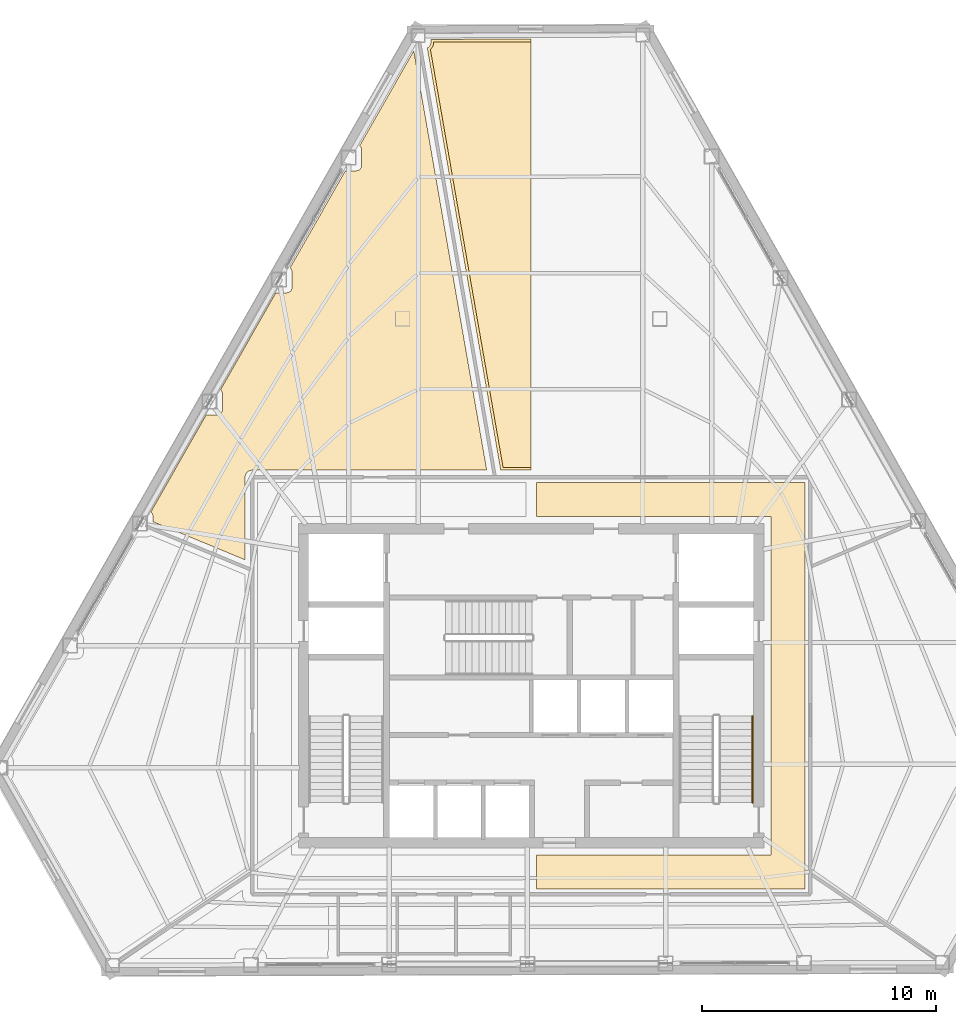
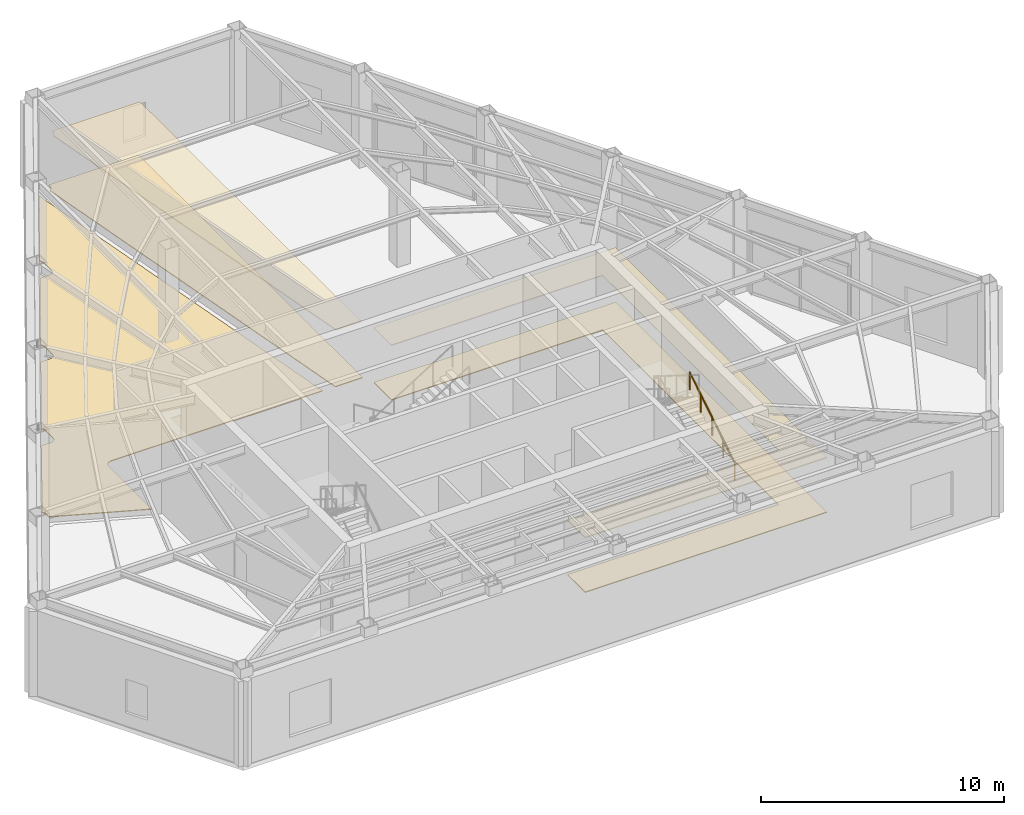
# One storey, part 14 of 14: 5 coverings, 1 railing.
"""IFC4 building model written with IfcOpenShell, lengths in metres."""

from ifc_helpers import new_model, si_unit, direction, frame, origin, origin_2d, place, context, subcontext, project, spatial, polyline, circle, outline, extrude, material, layer, layer_set, type_object, element, save


model = new_model("IFC4")

# Units and contexts
model_context = context("Model", 3, precision=1e-05, world=origin(), true_north=direction((0.0, 1.0)))
body_context = subcontext(model_context, "Body", "Model", "MODEL_VIEW")
ifc_project = project(units=[si_unit("LENGTHUNIT", "METRE"), si_unit("AREAUNIT", "SQUARE_METRE"), si_unit("VOLUMEUNIT", "CUBIC_METRE"), si_unit("PLANEANGLEUNIT", "RADIAN"), si_unit("MASSUNIT", "GRAM", prefix="KILO")], contexts=[model_context])

# Site, building, storey
site_placement = place(None, origin())
site = spatial("IfcSite", under=ifc_project, at=site_placement, CompositionType="ELEMENT")
building_placement = place(site_placement, origin())
building = spatial("IfcBuilding", under=site, at=building_placement, Name="Kavelnor Concourse Tower", CompositionType="ELEMENT")
storey_placement = place(building_placement, frame((0.0, 0.0, 160.0)))
storey = spatial("IfcBuildingStorey", under=building, at=storey_placement, Name="L40", CompositionType="ELEMENT", Elevation=160.0)

# Coverings
ifc_material_1 = material(Name="Mineral fibre acoustic ceiling tile")
ifc_layer_1 = layer(ifc_material_1, 0.0400390625, Name="Mineral fibre acoustic ceiling tile")
ifc_layer_set_1 = layer_set([ifc_layer_1], Name="Mineral fibre acoustic ceiling tile")
covering_type_1 = type_object("IfcCoveringType", Name="COV-CEILING-ACOUSTIC", PredefinedType="CEILING", material=ifc_layer_set_1)
covering_1_placement = place(storey_placement, frame((0.0, 0.0, 2.75)))
element("IfcCovering", 1, at=covering_1_placement, inside=storey, type_object=covering_type_1, Name="L40 Suspended Acoustic Ceiling", PredefinedType="CEILING", context=body_context, shape_type="SweptSolid", body=[
    extrude(outline(polyline([(49.719970703125, 7.39990234375), (38.22509765625, 7.39990234375), (38.22509765625, 8.860107421875), (48.260009765625, 8.860107421875), (48.260009765625, 23.340087890625), (38.22509765625, 23.340087890625), (38.22509765625, 24.800048828125), (49.719970703125, 24.800048828125), (49.719970703125, 7.39990234375)])), origin(), (0.0, 0.0, 1.0), 0.0400390625),
])
covering_2_placement = place(storey_placement, frame((0.0, 0.0, 2.75)))
element("IfcCovering", 2, at=covering_2_placement, inside=storey, type_object=covering_type_1, Name="L40 Suspended Acoustic Ceiling", PredefinedType="CEILING", context=body_context, shape_type="SweptSolid", body=[
    extrude(outline(polyline([(33.716552734375, 43.361572265625), (33.740234375, 43.3876953125), (33.761474609375, 43.416259765625), (33.779541015625, 43.446533203125), (33.794677734375, 43.478515625), (33.806640625, 43.51171875), (33.815185546875, 43.546142578125), (33.8203125, 43.5810546875), (33.82177734375, 43.608154296875), (33.82177734375, 43.638671875), (37.9951171875, 43.65283203125), (37.9951171875, 25.4423828125), (36.796142578125, 25.4423828125), (33.684326171875, 43.33349609375), (33.690185546875, 43.337890625), (33.716552734375, 43.361572265625)])), origin(), (0.0, 0.0, 1.0), 0.0400390625),
])
ifc_material_2 = material(Name="Honed bluestone and raised access floor finish", Category="masonry")
ifc_layer_2 = layer(ifc_material_2, 0.0400390625, Name="Honed bluestone and raised access floor finish")
ifc_layer_set_2 = layer_set([ifc_layer_2], Name="Honed bluestone and raised access floor finish")
covering_type_2 = type_object("IfcCoveringType", Name="COV-FLOOR-STONE", PredefinedType="FLOORING", material=ifc_layer_set_2)
covering_3_placement = place(storey_placement, frame((0.0, 0.0, 0.001953125)))
element("IfcCovering", 3, at=covering_3_placement, inside=storey, type_object=covering_type_2, Name="L40 Honed Bluestone Floor Finish", PredefinedType="FLOORING", context=body_context, shape_type="SweptSolid", body=[
    extrude(outline(polyline([(49.719970703125, 7.39990234375), (38.22509765625, 7.39990234375), (38.22509765625, 8.860107421875), (48.260009765625, 8.860107421875), (48.260009765625, 23.340087890625), (38.22509765625, 23.340087890625), (38.22509765625, 24.800048828125), (49.719970703125, 24.800048828125), (49.719970703125, 7.39990234375)])), origin(), (0.0, 0.0, 1.0), 0.0400390625),
])
covering_4_placement = place(storey_placement, frame((0.0, 0.0, 0.001953125)))
element("IfcCovering", 4, at=covering_4_placement, inside=storey, type_object=covering_type_2, Name="L40 Honed Bluestone Floor Finish", PredefinedType="FLOORING", context=body_context, shape_type="SweptSolid", body=[
    extrude(outline(polyline([(33.574951171875, 43.404541015625), (33.59521484375, 43.41650390625), (33.614013671875, 43.4306640625), (33.631591796875, 43.446533203125), (33.6474609375, 43.464111328125), (33.66162109375, 43.48291015625), (33.673583984375, 43.503173828125), (33.68359375, 43.5244140625), (33.691650390625, 43.546630859375), (33.697265625, 43.569580078125), (33.70068359375, 43.5927734375), (33.70166015625, 43.611083984375), (33.70166015625, 43.75830078125), (37.9951171875, 43.772705078125), (37.9951171875, 25.322509765625), (36.6953125, 25.322509765625), (33.552001953125, 43.393798828125), (33.5537109375, 43.394287109375), (33.574951171875, 43.404541015625)])), origin(), (0.0, 0.0, 1.0), 0.0400390625),
])
covering_5_placement = place(storey_placement, frame((0.0, 0.0, 0.001953125)))
element("IfcCovering", 5, at=covering_5_placement, inside=storey, type_object=covering_type_2, Name="L40 Honed Bluestone Floor Finish", PredefinedType="FLOORING", context=body_context, shape_type="SweptSolid", body=[
    extrude(outline(polyline([(24.572509765625, 27.694580078125), (24.595703125, 27.697998046875), (24.618408203125, 27.703857421875), (24.640625, 27.711669921875), (24.662109375, 27.7216796875), (24.682373046875, 27.73388671875), (24.701171875, 27.748046875), (24.71875, 27.763916015625), (24.734619140625, 27.78125), (24.74853515625, 27.80029296875), (24.7607421875, 27.8203125), (24.770751953125, 27.841796875), (24.77880859375, 27.864013671875), (24.784423828125, 27.88671875), (24.787841796875, 27.91015625), (24.788818359375, 27.92822265625), (24.788818359375, 28.5791015625), (24.787841796875, 28.597412109375), (24.784423828125, 28.62060546875), (24.77880859375, 28.643310546875), (24.770751953125, 28.66552734375), (24.7607421875, 28.68701171875), (24.74853515625, 28.707275390625), (24.734619140625, 28.72607421875), (24.71875, 28.74365234375), (24.701416015625, 28.75927734375), (27.0712890625, 32.91455078125), (27.53173828125, 32.91455078125), (27.550048828125, 32.91552734375), (27.5732421875, 32.9189453125), (27.59619140625, 32.9248046875), (27.618408203125, 32.9326171875), (27.6396484375, 32.942626953125), (27.659912109375, 32.954833984375), (27.6787109375, 32.968994140625), (27.6962890625, 32.984619140625), (27.712158203125, 33.002197265625), (27.726318359375, 33.02099609375), (27.73828125, 33.041259765625), (27.748291015625, 33.062744140625), (27.75634765625, 33.0849609375), (27.761962890625, 33.107666015625), (27.765380859375, 33.131103515625), (27.766357421875, 33.149169921875), (27.766357421875, 33.800048828125), (27.765380859375, 33.818115234375), (27.761962890625, 33.841552734375), (27.75634765625, 33.8642578125), (27.748291015625, 33.886474609375), (27.73828125, 33.907958984375), (27.726318359375, 33.927978515625), (27.712158203125, 33.947021484375), (27.6962890625, 33.964599609375), (27.678955078125, 33.980224609375), (30.048828125, 38.135498046875), (30.509521484375, 38.135498046875), (30.527587890625, 38.136474609375), (30.551025390625, 38.139892578125), (30.57373046875, 38.1455078125), (30.595947265625, 38.153564453125), (30.617431640625, 38.16357421875), (30.6376953125, 38.17578125), (30.656494140625, 38.189697265625), (30.674072265625, 38.20556640625), (30.689697265625, 38.22314453125), (30.703857421875, 38.241943359375), (30.716064453125, 38.26220703125), (30.72607421875, 38.28369140625), (30.73388671875, 38.305908203125), (30.73974609375, 38.32861328125), (30.7431640625, 38.351806640625), (30.744140625, 38.3701171875), (30.744140625, 39.02099609375), (30.7431640625, 39.0390625), (30.73974609375, 39.0625), (30.73388671875, 39.085205078125), (30.72607421875, 39.107421875), (30.716064453125, 39.12890625), (30.703857421875, 39.14892578125), (30.689697265625, 39.16796875), (30.674072265625, 39.185302734375), (30.656494140625, 39.201171875), (32.975341796875, 43.2666015625), (36.096435546875, 25.322509765625), (26.0546875, 25.322509765625), (26.0302734375, 25.3212890625), (26.0009765625, 25.31689453125), (25.97216796875, 25.309814453125), (25.944091796875, 25.2998046875), (25.917236328125, 25.287109375), (25.891845703125, 25.271728515625), (25.867919921875, 25.25390625), (25.845947265625, 25.234130859375), (25.825927734375, 25.212158203125), (25.808349609375, 25.188232421875), (25.79296875, 25.16259765625), (25.7802734375, 25.135986328125), (25.770263671875, 25.10791015625), (25.76318359375, 25.0791015625), (25.7587890625, 25.0498046875), (25.757568359375, 25.025390625), (25.757568359375, 21.48681640625), (21.811279296875, 23.1201171875), (21.811279296875, 23.358154296875), (21.810302734375, 23.376220703125), (21.806884765625, 23.399658203125), (21.801025390625, 23.42236328125), (21.793212890625, 23.444580078125), (21.783203125, 23.466064453125), (21.77099609375, 23.486083984375), (21.7568359375, 23.505126953125), (21.7412109375, 23.522705078125), (21.7236328125, 23.538330078125), (24.093505859375, 27.693603515625), (24.55419921875, 27.693603515625), (24.572509765625, 27.694580078125)])), origin(), (0.0, 0.0, 1.0), 0.0400390625),
])

# Railing
ifc_material_3 = material(Name="Steel Grade 350", Category="steel")
railing_type = type_object("IfcRailingType", Name="RLG-HANDRAIL-900", PredefinedType="HANDRAIL", material=ifc_material_3)
railing_placement = place(storey_placement, frame((47.469970703125, 11.10009765625, 0.178466796875)))
element("IfcRailing", 6, at=railing_placement, inside=storey, type_object=railing_type, Name="L40 ST2 stair handrail 1", PredefinedType="HANDRAIL", context=body_context, shape_type="SweptSolid", body=[
    extrude(circle(Radius=0.02392578125, at=origin_2d()), frame((0.0, 0.0, 0.8759765625), z_axis=(0.0, 0.847379717373, 0.530987395881), x_axis=(-1.0, 0.0, 0.0)), (0.0, 0.0, 1.0), 4.3720703125),
    extrude(circle(Radius=0.02099609375, at=origin_2d()), origin(), (0.0, 0.0, 1.0), 0.851806640625),
    extrude(circle(Radius=0.02099609375, at=origin_2d()), frame((0.0, 0.92626953125, 0.580322265625)), (0.0, 0.0, 1.0), 0.851806640625),
    extrude(circle(Radius=0.02099609375, at=origin_2d()), frame((0.0, 1.8525390625, 1.16064453125)), (0.0, 0.0, 1.0), 0.851806640625),
    extrude(circle(Radius=0.02099609375, at=origin_2d()), frame((0.0, 2.778564453125, 1.7412109375)), (0.0, 0.0, 1.0), 0.851806640625),
    extrude(circle(Radius=0.02099609375, at=origin_2d()), frame((0.0, 3.704833984375, 2.321533203125)), (0.0, 0.0, 1.0), 0.851806640625),
])

save(model, "model.ifc")
